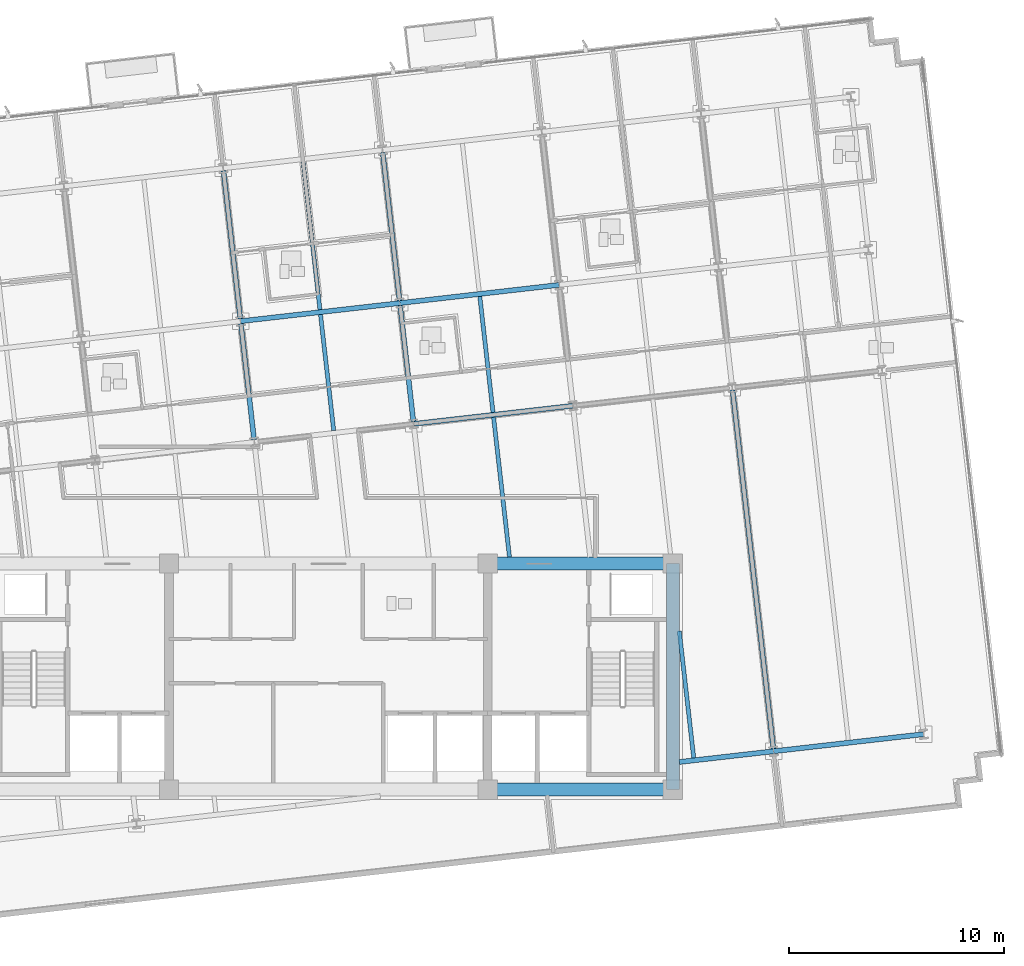
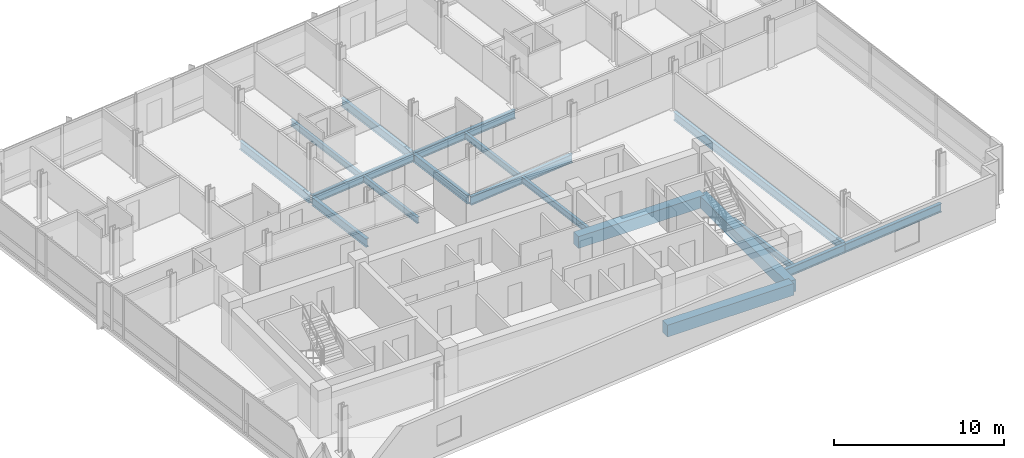
# One storey, part 3 of 17: 18 beams.
"""IFC4 building model written with IfcOpenShell, lengths in metres."""

from ifc_helpers import new_model, si_unit, direction, frame, origin, origin_2d, place, context, subcontext, project, spatial, rectangle, i_section, extrude, material, material_profile, profile_set, type_object, element, save


model = new_model("IFC4")

# Units and contexts
model_context = context("Model", 3, precision=1e-05, world=origin(), true_north=direction((0.0, 1.0)))
body_context = subcontext(model_context, "Body", "Model", "MODEL_VIEW")
ifc_project = project(units=[si_unit("LENGTHUNIT", "METRE"), si_unit("AREAUNIT", "SQUARE_METRE"), si_unit("VOLUMEUNIT", "CUBIC_METRE"), si_unit("PLANEANGLEUNIT", "RADIAN"), si_unit("MASSUNIT", "GRAM", prefix="KILO")], contexts=[model_context])

# Site, building, storey
site_placement = place(None, origin())
site = spatial("IfcSite", under=ifc_project, at=site_placement, CompositionType="ELEMENT")
building_placement = place(site_placement, origin())
building = spatial("IfcBuilding", under=site, at=building_placement, Name="Solmavex Isthmus Hotel", CompositionType="ELEMENT")
storey_placement = place(building_placement, frame((0.0, 0.0, 198.60009765625)))
storey = spatial("IfcBuildingStorey", under=building, at=storey_placement, Name="L53", CompositionType="ELEMENT", Elevation=198.60009765625)

# Beams
ifc_material_1 = material(Name="Steel ASTM A992 Grade 50", Category="steel")
ifc_material_profile_1 = material_profile(ifc_material_1, i_section(OverallWidth=0.1904296875, OverallDepth=0.456787109375, WebThickness=0.009033203125, FlangeThickness=0.014404296875, FilletRadius=0.0126953125, at=origin_2d()), Name="W18X50")
ifc_profile_set_1 = profile_set([ifc_material_profile_1], Name="Steel ASTM A992 Grade 50")
beam_type_1 = type_object("IfcBeamType", Name="BM-BJ-W18X50", PredefinedType="JOIST", material=ifc_profile_set_1)
beam_1_placement = place(storey_placement, frame((0.250244140625, 3.67822265625, -0.488525390625), z_axis=(-0.113194691868, 0.993572826587, 0.0), x_axis=(-0.993572826587, -0.113194691868, 0.0)))
element("IfcBeam", 1, at=beam_1_placement, inside=storey, type_object=beam_type_1, Name="Secondary Floor Joist L53-J10", PredefinedType="JOIST", context=body_context, shape_type="SweptSolid", body=[
    extrude(i_section(OverallWidth=0.1904296875, OverallDepth=0.456787109375, WebThickness=0.009033203125, FlangeThickness=0.014404296875, FilletRadius=0.0126953125, at=origin_2d()), origin(), (0.0, 0.0, 1.0), 5.420166015625),
])
beam_2_placement = place(storey_placement, frame((-0.38916015625, 9.289794921875, -0.488525390625), z_axis=(-0.113202453846, 0.993571942258, 0.0), x_axis=(-0.993571942258, -0.113202453846, 0.0)))
element("IfcBeam", 2, at=beam_2_placement, inside=storey, type_object=beam_type_1, Name="Secondary Floor Joist L53-J11", PredefinedType="JOIST", context=body_context, shape_type="SweptSolid", body=[
    extrude(i_section(OverallWidth=0.1904296875, OverallDepth=0.456787109375, WebThickness=0.009033203125, FlangeThickness=0.014404296875, FilletRadius=0.0126953125, at=origin_2d()), origin(), (0.0, 0.0, 1.0), 6.9228515625),
])
beam_3_placement = place(storey_placement, frame((8.414306640625, -2.199951171875, -0.488525390625), z_axis=(-0.113206345873, 0.993571498813, 0.0), x_axis=(-0.993571498813, -0.113206345873, 0.0)))
element("IfcBeam", 3, at=beam_3_placement, inside=storey, type_object=beam_type_1, Name="Secondary Floor Joist L53-J12", PredefinedType="JOIST", context=body_context, shape_type="SweptSolid", body=[
    extrude(i_section(OverallWidth=0.1904296875, OverallDepth=0.456787109375, WebThickness=0.009033203125, FlangeThickness=0.014404296875, FilletRadius=0.0126953125, at=origin_2d()), origin(), (0.0, 0.0, 1.0), 6.53662109375),
])
beam_4_placement = place(storey_placement, frame((7.6484375, 4.521240234375, -0.488525390625), z_axis=(-0.113194691868, 0.993572826587, 0.0), x_axis=(-0.993572826587, -0.113194691868, 0.0)))
element("IfcBeam", 4, at=beam_4_placement, inside=storey, type_object=beam_type_1, Name="Secondary Floor Joist L53-J13", PredefinedType="JOIST", context=body_context, shape_type="SweptSolid", body=[
    extrude(i_section(OverallWidth=0.1904296875, OverallDepth=0.456787109375, WebThickness=0.009033203125, FlangeThickness=0.014404296875, FilletRadius=0.0126953125, at=origin_2d()), origin(), (0.0, 0.0, 1.0), 5.420166015625),
])
beam_5_placement = place(storey_placement, frame((16.970947265625, -11.525390625, -0.488525390625), z_axis=(-0.113202687678, 0.993571915617, 0.0), x_axis=(-0.993571915617, -0.113202687678, 0.0)))
element("IfcBeam", 5, at=beam_5_placement, inside=storey, type_object=beam_type_1, Name="Secondary Floor Joist L53-J15", PredefinedType="JOIST", context=body_context, shape_type="SweptSolid", body=[
    extrude(i_section(OverallWidth=0.1904296875, OverallDepth=0.456787109375, WebThickness=0.009033203125, FlangeThickness=0.014404296875, FilletRadius=0.0126953125, at=origin_2d()), origin(), (0.0, 0.0, 1.0), 5.926513671875),
])
ifc_material_profile_2 = material_profile(ifc_material_1, i_section(OverallWidth=0.227783203125, OverallDepth=0.602783203125, WebThickness=0.010498046875, FlangeThickness=0.014892578125, FilletRadius=0.01513671875, at=origin_2d()), Name="W24X68")
ifc_profile_set_2 = profile_set([ifc_material_profile_2], Name="Steel ASTM A992 Grade 50")
beam_type_2 = type_object("IfcBeamType", Name="BM-BM-W24X68", PredefinedType="BEAM", material=ifc_profile_set_2)
for number, where, z_axis, x_axis, name in (
    (6, (3.962158203125, 3.986572265625, -0.5615234375), (0.993574034044, 0.113184092846, 0.0), (-0.113184092846, 0.993574034044, 0.0), "Floor Girder L53-UG09"),
    (7, (-4.0751953125, 8.75537109375, -0.5615234375), (0.993574034044, 0.113184092846, 0.0), (-0.113184092846, 0.993574034044, 0.0), "Floor Girder L53-UG14"),
):
    element("IfcBeam", number, at=place(storey_placement, frame(where, z_axis=z_axis, x_axis=x_axis)), inside=storey, type_object=beam_type_2, Name=name, PredefinedType="BEAM", context=body_context, shape_type="SweptSolid", body=[
        extrude(i_section(OverallWidth=0.227783203125, OverallDepth=0.602783203125, WebThickness=0.010498046875, FlangeThickness=0.014892578125, FilletRadius=0.01513671875, at=origin_2d()), origin(), (0.0, 0.0, 1.0), 7.446044921875),
    ])
beam_6_placement = place(storey_placement, frame((3.322998046875, 9.59814453125, -0.5615234375), z_axis=(0.993569926006, 0.113220148984, 0.0), x_axis=(-0.113220148984, 0.993569926006, 0.0)))
element("IfcBeam", 8, at=beam_6_placement, inside=storey, type_object=beam_type_2, Name="Floor Girder L53-UG15", PredefinedType="BEAM", context=body_context, shape_type="SweptSolid", body=[
    extrude(i_section(OverallWidth=0.227783203125, OverallDepth=0.602783203125, WebThickness=0.010498046875, FlangeThickness=0.014892578125, FilletRadius=0.01513671875, at=origin_2d()), origin(), (0.0, 0.0, 1.0), 7.44580078125),
])
beam_7_placement = place(storey_placement, frame((-3.44873046875, 3.2568359375, -0.5615234375), z_axis=(-0.113194691868, 0.993572826587, 0.0), x_axis=(-0.993572826587, -0.113194691868, 0.0)))
element("IfcBeam", 9, at=beam_7_placement, inside=storey, type_object=beam_type_2, Name="Floor Beam L53-VG32", PredefinedType="BEAM", context=body_context, shape_type="SweptSolid", body=[
    extrude(i_section(OverallWidth=0.227783203125, OverallDepth=0.602783203125, WebThickness=0.010498046875, FlangeThickness=0.014892578125, FilletRadius=0.01513671875, at=origin_2d()), origin(), (0.0, 0.0, 1.0), 5.420166015625),
])
beam_8_placement = place(storey_placement, frame((-4.088134765625, 8.868408203125, -0.5615234375), z_axis=(-0.113202453846, 0.993571942258, 0.0), x_axis=(-0.993571942258, -0.113202453846, 0.0)))
element("IfcBeam", 10, at=beam_8_placement, inside=storey, type_object=beam_type_2, Name="Floor Beam L53-VG33", PredefinedType="BEAM", context=body_context, shape_type="SweptSolid", body=[
    extrude(i_section(OverallWidth=0.227783203125, OverallDepth=0.602783203125, WebThickness=0.010498046875, FlangeThickness=0.014892578125, FilletRadius=0.01513671875, at=origin_2d()), origin(), (0.0, 0.0, 1.0), 6.9228515625),
])
beam_9_placement = place(storey_placement, frame((3.949462890625, 4.099609375, -0.5615234375), z_axis=(-0.113234090386, 0.993568337244, 0.0), x_axis=(-0.993568337244, -0.113234090386, 0.0)))
element("IfcBeam", 11, at=beam_9_placement, inside=storey, type_object=beam_type_2, Name="Floor Beam L53-VG35", PredefinedType="BEAM", context=body_context, shape_type="SweptSolid", body=[
    extrude(i_section(OverallWidth=0.227783203125, OverallDepth=0.602783203125, WebThickness=0.010498046875, FlangeThickness=0.014892578125, FilletRadius=0.01513671875, at=origin_2d()), origin(), (0.0, 0.0, 1.0), 5.42041015625),
])
beam_10_placement = place(storey_placement, frame((3.31005859375, 9.71142578125, -0.5615234375), z_axis=(-0.113202453846, 0.993571942258, 0.0), x_axis=(-0.993571942258, -0.113202453846, 0.0)))
element("IfcBeam", 12, at=beam_10_placement, inside=storey, type_object=beam_type_2, Name="Floor Beam L53-VG36", PredefinedType="BEAM", context=body_context, shape_type="SweptSolid", body=[
    extrude(i_section(OverallWidth=0.227783203125, OverallDepth=0.602783203125, WebThickness=0.010498046875, FlangeThickness=0.014892578125, FilletRadius=0.01513671875, at=origin_2d()), origin(), (0.0, 0.0, 1.0), 6.9228515625),
])
beam_11_placement = place(storey_placement, frame((20.669921875, -11.10400390625, -0.5615234375), z_axis=(-0.113198426291, 0.993572401129, 0.0), x_axis=(-0.993572401129, -0.113198426291, 0.0)))
element("IfcBeam", 13, at=beam_11_placement, inside=storey, type_object=beam_type_2, Name="Floor Beam L53-VG40", PredefinedType="BEAM", context=body_context, shape_type="SweptSolid", body=[
    extrude(i_section(OverallWidth=0.227783203125, OverallDepth=0.602783203125, WebThickness=0.010498046875, FlangeThickness=0.014892578125, FilletRadius=0.01513671875, at=origin_2d()), origin(), (0.0, 0.0, 1.0), 16.77099609375),
])
ifc_material_2 = material(Name="Concrete C50/60", Category="concrete")
ifc_material_profile_3 = material_profile(ifc_material_2, rectangle(XDim=0.60009765625, YDim=0.85009765625, at=origin_2d()), Name="RC600X850")
ifc_profile_set_3 = profile_set([ifc_material_profile_3], Name="Concrete C50/60")
beam_type_3 = type_object("IfcBeamType", Name="BM-CB-600X850", PredefinedType="BEAM", material=ifc_profile_set_3)
for number, where, z_axis, x_axis, name in (
    (14, (7.39990234375, -13.0, -0.68505859375), (1.0, 0.0, 0.0), (0.0, 1.0, 0.0), "Core Coupling Beam L53-CB3"),
    (15, (7.39990234375, -2.5, -0.68505859375), (1.0, 0.0, 0.0), (0.0, 1.0, 0.0), "Core Coupling Beam L53-CB6"),
):
    element("IfcBeam", number, at=place(storey_placement, frame(where, z_axis=z_axis, x_axis=x_axis)), inside=storey, type_object=beam_type_3, Name=name, PredefinedType="BEAM", context=body_context, shape_type="SweptSolid", body=[
        extrude(rectangle(XDim=0.60009765625, YDim=0.85009765625, at=origin_2d()), origin(), (0.0, 0.0, 1.0), 8.60009765625),
    ])
beam_12_placement = place(storey_placement, frame((16.0, -13.0, -0.68505859375), z_axis=(0.0, 1.0, 0.0), x_axis=(-1.0, 0.0, 0.0)))
element("IfcBeam", 16, at=beam_12_placement, inside=storey, type_object=beam_type_3, Name="Core Coupling Beam L53-CB8", PredefinedType="BEAM", context=body_context, shape_type="SweptSolid", body=[
    extrude(rectangle(XDim=0.60009765625, YDim=0.85009765625, at=origin_2d()), origin(), (0.0, 0.0, 1.0), 10.5),
])
ifc_material_profile_4 = material_profile(ifc_material_1, i_section(OverallWidth=0.230224609375, OverallDepth=0.617431640625, WebThickness=0.01318359375, FlangeThickness=0.022216796875, FilletRadius=0.01513671875, at=origin_2d()), Name="W24X94")
ifc_profile_set_4 = profile_set([ifc_material_profile_4], Name="Steel ASTM A992 Grade 50")
beam_type_4 = type_object("IfcBeamType", Name="BM-SP-W24X94", PredefinedType="SPANDREL", material=ifc_profile_set_4)
beam_13_placement = place(storey_placement, frame((16.300048828125, -11.7177734375, -0.56884765625), z_axis=(0.993574880398, 0.113176662976, 0.0), x_axis=(-0.113176662976, 0.993574880398, 0.0)))
element("IfcBeam", 17, at=beam_13_placement, inside=storey, type_object=beam_type_4, Name="Floor Girder L53-UG04", PredefinedType="SPANDREL", context=body_context, shape_type="SweptSolid", body=[
    extrude(i_section(OverallWidth=0.230224609375, OverallDepth=0.617431640625, WebThickness=0.01318359375, FlangeThickness=0.022216796875, FilletRadius=0.01513671875, at=origin_2d()), origin(), (0.0, 0.0, 1.0), 4.411376953125),
])
beam_14_placement = place(storey_placement, frame((20.68310546875, -11.218505859375, -0.56884765625), z_axis=(0.993569675103, 0.113222350774, 0.0), x_axis=(-0.113222350774, 0.993569675103, 0.0)))
element("IfcBeam", 18, at=beam_14_placement, inside=storey, type_object=beam_type_4, Name="Floor Girder L53-UG05", PredefinedType="SPANDREL", context=body_context, shape_type="SweptSolid", body=[
    extrude(i_section(OverallWidth=0.230224609375, OverallDepth=0.617431640625, WebThickness=0.01318359375, FlangeThickness=0.022216796875, FilletRadius=0.01513671875, at=origin_2d()), origin(), (0.0, 0.0, 1.0), 7.008056640625),
])

save(model, "model.ifc")
